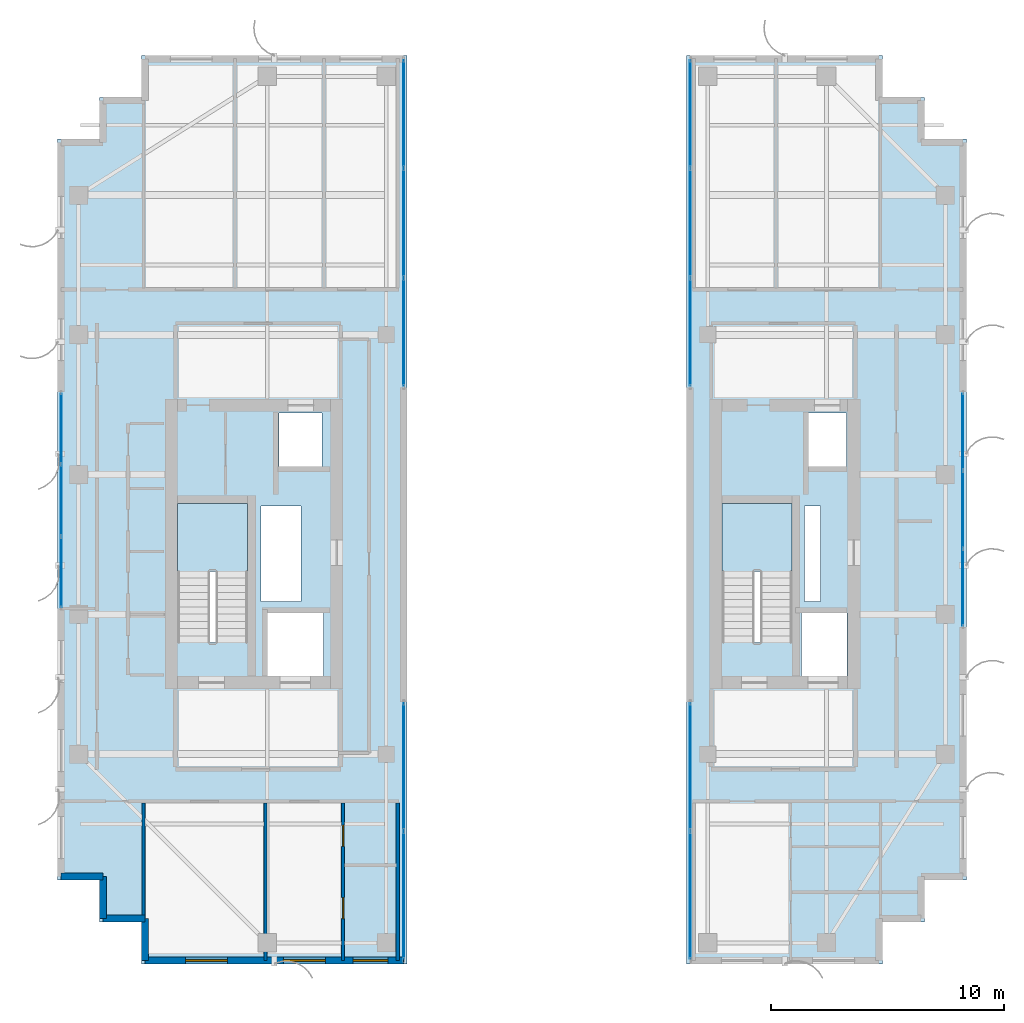
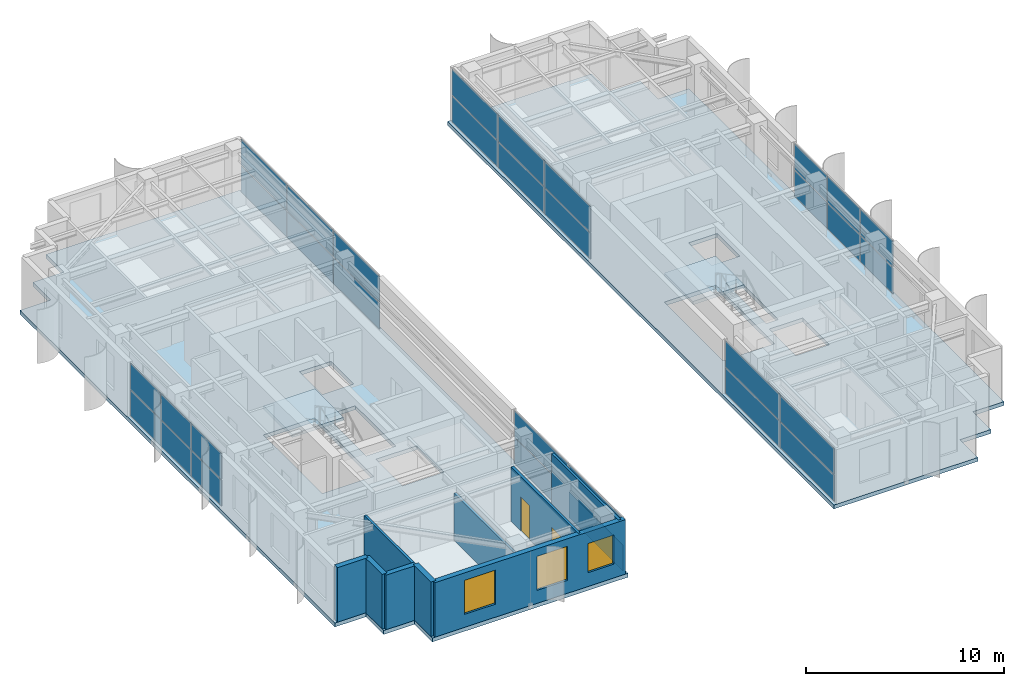
# One storey, part 17 of 24: 32 plates, 9 walls, 4 slabs, 3 windows, 2 doors, 5 openings, 8 elements without a shape of their own.
"""IFC4 building model written with IfcOpenShell, lengths in metres."""

from ifc_helpers import new_model, si_unit, direction, frame, frame_2d, origin, origin_2d, place, context, subcontext, project, spatial, polyline, rectangle, outline, extrude, source, transform, mapped, material, layer, layer_set, type_object, element, fill, aggregate, save


model = new_model("IFC4")

# Units and contexts
model_context = context("Model", 3, precision=1e-05, world=origin(), true_north=direction((0.0, 1.0)))
body_context = subcontext(model_context, "Body", "Model", "MODEL_VIEW")
ifc_project = project(units=[si_unit("LENGTHUNIT", "METRE"), si_unit("AREAUNIT", "SQUARE_METRE"), si_unit("VOLUMEUNIT", "CUBIC_METRE"), si_unit("PLANEANGLEUNIT", "RADIAN"), si_unit("MASSUNIT", "GRAM", prefix="KILO")], contexts=[model_context])

# Site, building, storey
site_placement = place(None, origin())
site = spatial("IfcSite", under=ifc_project, at=site_placement, CompositionType="ELEMENT")
building_placement = place(site_placement, origin())
building = spatial("IfcBuilding", under=site, at=building_placement, Name="Khoralis Quay Care Tower", CompositionType="ELEMENT")
storey_placement = place(building_placement, frame((0.0, 0.0, 234.89990234375)))
storey = spatial("IfcBuildingStorey", under=building, at=storey_placement, Name="L61", CompositionType="ELEMENT", Elevation=234.89990234375)

# Stair, slab
ifc_material_1 = material(Name="Precast concrete C45/55", Category="concrete")
stair_type = type_object("IfcStairType", Name="ST-TWR-DOGLEG-1400", PredefinedType="HALF_TURN_STAIR", material=ifc_material_1)
stair_1_placement = place(storey_placement, origin())
stair_1 = element("IfcStair", 1, at=stair_1_placement, inside=storey, type_object=stair_type, Name="L61 West Core Exit Stair ST-T1", PredefinedType="HALF_TURN_STAIR")
ifc_layer_1 = layer(ifc_material_1, 0.199951171875)
ifc_layer_set_1 = layer_set([ifc_layer_1], Name="Precast concrete C45/55")
slab_type_1 = type_object("IfcSlabType", Name="SLB-LANDING-200", PredefinedType="LANDING", material=ifc_layer_set_1)
slab_1_placement = place(storey_placement, frame((0.0, 0.0, 1.60009765625)))
slab_1 = element("IfcSlab", 2, at=slab_1_placement, type_object=slab_type_1, Name="ST-T1 landing 1", PredefinedType="LANDING", context=body_context, shape_type="SweptSolid", body=[
    extrude(outline(polyline([(11.14990234375, 19.840087890625), (11.14990234375, 22.75), (8.14990234375, 22.75), (8.14990234375, 19.840087890625), (11.14990234375, 19.840087890625)])), origin(), (0.0, 0.0, 1.0), 0.199951171875),
])
aggregate(stair_1, [slab_1])

stair_2_placement = place(storey_placement, origin())
stair_2 = element("IfcStair", 3, at=stair_2_placement, inside=storey, type_object=stair_type, Name="L61 East Core Exit Stair ST-T2", PredefinedType="HALF_TURN_STAIR")
slab_2_placement = place(storey_placement, frame((0.0, 0.0, 1.60009765625)))
slab_2 = element("IfcSlab", 4, at=slab_2_placement, type_object=slab_type_1, Name="ST-T2 landing 1", PredefinedType="LANDING", context=body_context, shape_type="SweptSolid", body=[
    extrude(outline(polyline([(34.52001953125, 19.840087890625), (34.52001953125, 22.75), (31.52001953125, 22.75), (31.52001953125, 19.840087890625), (34.52001953125, 19.840087890625)])), origin(), (0.0, 0.0, 1.0), 0.199951171875),
])
aggregate(stair_2, [slab_2])

# Slabs
ifc_material_2 = material(Name="Concrete C40/50", Category="concrete")
ifc_layer_2 = layer(ifc_material_2, 0.239990234375)
ifc_layer_set_2 = layer_set([ifc_layer_2], Name="Concrete C40/50")
slab_type_2 = type_object("IfcSlabType", Name="SLB-TWR-240", PredefinedType="FLOOR", material=ifc_layer_set_2)
slab_3_placement = place(storey_placement, frame((0.0, 0.0, -0.239990234375)))
element("IfcSlab", 5, at=slab_3_placement, inside=storey, type_object=slab_type_2, Name="Tower Wing 1 Slab L61", PredefinedType="FLOOR", context=body_context, shape_type="SweptSolid", body=[
    extrude(outline(polyline([(6.60009765625, 3.0), (18.0, 3.0), (18.0, 42.0), (6.60009765625, 42.0), (6.60009765625, 40.199951171875), (4.800048828125, 40.199951171875), (4.800048828125, 38.39990234375), (3.0, 38.39990234375), (3.0, 6.60009765625), (4.800048828125, 6.60009765625), (4.800048828125, 4.800048828125), (6.60009765625, 4.800048828125), (6.60009765625, 3.0)]), holes=[polyline([(11.14990234375, 16.800048828125), (11.14990234375, 22.75), (8.14990234375, 22.75), (8.14990234375, 16.800048828125), (11.14990234375, 16.800048828125)]), polyline([(12.0, 15.35009765625), (14.39990234375, 15.35009765625), (14.39990234375, 18.050048828125), (12.0, 18.050048828125), (12.0, 15.35009765625)]), polyline([(12.5, 24.35009765625), (14.35009765625, 24.35009765625), (14.35009765625, 26.64990234375), (12.5, 26.64990234375), (12.5, 24.35009765625)]), polyline([(11.719970703125, 18.550048828125), (13.449951171875, 18.550048828125), (13.449951171875, 22.64990234375), (11.719970703125, 22.64990234375), (11.719970703125, 18.550048828125)])]), origin(), (0.0, 0.0, 1.0), 0.239990234375),
])
slab_4_placement = place(storey_placement, frame((0.0, 0.0, -0.239990234375)))
element("IfcSlab", 6, at=slab_4_placement, inside=storey, type_object=slab_type_2, Name="Tower Wing 2 Slab L61", PredefinedType="FLOOR", context=body_context, shape_type="SweptSolid", body=[
    extrude(outline(polyline([(30.0, 3.0), (38.39990234375, 3.0), (38.39990234375, 4.800048828125), (40.199951171875, 4.800048828125), (40.199951171875, 6.60009765625), (42.0, 6.60009765625), (42.0, 38.39990234375), (40.199951171875, 38.39990234375), (40.199951171875, 40.199951171875), (38.39990234375, 40.199951171875), (38.39990234375, 42.0), (30.0, 42.0), (30.0, 3.0)]), holes=[polyline([(34.52001953125, 16.800048828125), (34.52001953125, 22.75), (31.52001953125, 22.75), (31.52001953125, 16.800048828125), (34.52001953125, 16.800048828125)]), polyline([(34.919921875, 15.35009765625), (36.8798828125, 15.35009765625), (36.8798828125, 18.050048828125), (34.919921875, 18.050048828125), (34.919921875, 15.35009765625)]), polyline([(35.199951171875, 24.35009765625), (36.85009765625, 24.35009765625), (36.85009765625, 26.64990234375), (35.199951171875, 26.64990234375), (35.199951171875, 24.35009765625)]), polyline([(35.050048828125, 18.550048828125), (35.75, 18.550048828125), (35.75, 22.64990234375), (35.050048828125, 22.64990234375), (35.050048828125, 18.550048828125)])]), origin(), (0.0, 0.0, 1.0), 0.239990234375),
])

# Curtain wall, plates
ifc_material_3 = material(Name="Pale anodised aluminium", Category="aluminium")
ifc_layer_3 = layer(ifc_material_3, 0.18994140625)
ifc_layer_set_3 = layer_set([ifc_layer_3], Name="Pale anodised aluminium")
curtain_wall_type_1 = type_object("IfcCurtainWallType", Name="CW-SYS-PORTAL", PredefinedType="NOTDEFINED", material=ifc_layer_set_3)
curtain_wall_1_placement = place(storey_placement, origin())
curtain_wall_1 = element("IfcCurtainWall", 7, at=curtain_wall_1_placement, inside=storey, type_object=curtain_wall_type_1, Name="L61 Unitised Curtain Wall CW-VP-L61-P1-S", PredefinedType="NOTDEFINED")
ifc_material_4 = material(Name="Low-E solar-control double glazing", Category="glass")
ifc_layer_4 = layer(ifc_material_4, 0.031982421875)
ifc_layer_set_4 = layer_set([ifc_layer_4], Name="Low-E solar-control double glazing")
plate_type = type_object("IfcPlateType", Name="PNL-VIS-32", PredefinedType="CURTAIN_PANEL", material=ifc_layer_set_4)
shared_shape_1 = source(origin(), body_context, "Body", "SweptSolid", [
    extrude(rectangle(XDim=5.4599609375, YDim=0.028076171875, at=origin_2d()), origin(), (0.0, 0.0, 1.0), 1.590087890625),
])
plate_1_placement = place(storey_placement, frame((17.85009765625, 5.93994140625, 0.06005859375), z_axis=(0.0, 0.0, 1.0), x_axis=(0.0, 1.0, 0.0)))
plate_1 = element("IfcPlate", 8, at=plate_1_placement, type_object=plate_type, Name="CW4 panel 1.1", PredefinedType="CURTAIN_PANEL", context=body_context, shape_type="MappedRepresentation", body=[
    mapped(shared_shape_1, transform((0.0, 0.0, 0.0), scale=1.0)),
])
plate_2_placement = place(storey_placement, frame((17.85009765625, 5.93994140625, 1.7099609375), z_axis=(0.0, 0.0, 1.0), x_axis=(0.0, 1.0, 0.0)))
plate_2 = element("IfcPlate", 9, at=plate_2_placement, type_object=plate_type, Name="CW4 panel 1.2", PredefinedType="CURTAIN_PANEL", context=body_context, shape_type="MappedRepresentation", body=[
    mapped(shared_shape_1, transform((0.0, 0.0, 0.0), scale=1.0)),
])
plate_3_placement = place(storey_placement, frame((17.85009765625, 11.4599609375, 0.06005859375), z_axis=(0.0, 0.0, 1.0), x_axis=(0.0, 1.0, 0.0)))
plate_3 = element("IfcPlate", 10, at=plate_3_placement, type_object=plate_type, Name="CW4 panel 2.1", PredefinedType="CURTAIN_PANEL", context=body_context, shape_type="MappedRepresentation", body=[
    mapped(shared_shape_1, transform((0.0, 0.0, 0.0), scale=1.0)),
])
plate_4_placement = place(storey_placement, frame((17.85009765625, 11.4599609375, 1.7099609375), z_axis=(0.0, 0.0, 1.0), x_axis=(0.0, 1.0, 0.0)))
plate_4 = element("IfcPlate", 11, at=plate_4_placement, type_object=plate_type, Name="CW4 panel 2.2", PredefinedType="CURTAIN_PANEL", context=body_context, shape_type="MappedRepresentation", body=[
    mapped(shared_shape_1, transform((0.0, 0.0, 0.0), scale=1.0)),
])
aggregate(curtain_wall_1, [plate_1, plate_2, plate_3, plate_4])

curtain_wall_2_placement = place(storey_placement, origin())
curtain_wall_2 = element("IfcCurtainWall", 12, at=curtain_wall_2_placement, inside=storey, type_object=curtain_wall_type_1, Name="L61 Unitised Curtain Wall CW-VP-L61-P2-S", PredefinedType="NOTDEFINED")
plate_5_placement = place(storey_placement, frame((30.14990234375, 5.93994140625, 0.06005859375), z_axis=(0.0, 0.0, 1.0), x_axis=(0.0, 1.0, 0.0)))
plate_5 = element("IfcPlate", 13, at=plate_5_placement, type_object=plate_type, Name="CW4 panel 1.1", PredefinedType="CURTAIN_PANEL", context=body_context, shape_type="MappedRepresentation", body=[
    mapped(shared_shape_1, transform((0.0, 0.0, 0.0), scale=1.0)),
])
plate_6_placement = place(storey_placement, frame((30.14990234375, 5.93994140625, 1.7099609375), z_axis=(0.0, 0.0, 1.0), x_axis=(0.0, 1.0, 0.0)))
plate_6 = element("IfcPlate", 14, at=plate_6_placement, type_object=plate_type, Name="CW4 panel 1.2", PredefinedType="CURTAIN_PANEL", context=body_context, shape_type="MappedRepresentation", body=[
    mapped(shared_shape_1, transform((0.0, 0.0, 0.0), scale=1.0)),
])
plate_7_placement = place(storey_placement, frame((30.14990234375, 11.4599609375, 0.06005859375), z_axis=(0.0, 0.0, 1.0), x_axis=(0.0, 1.0, 0.0)))
plate_7 = element("IfcPlate", 15, at=plate_7_placement, type_object=plate_type, Name="CW4 panel 2.1", PredefinedType="CURTAIN_PANEL", context=body_context, shape_type="MappedRepresentation", body=[
    mapped(shared_shape_1, transform((0.0, 0.0, 0.0), scale=1.0)),
])
plate_8_placement = place(storey_placement, frame((30.14990234375, 11.4599609375, 1.7099609375), z_axis=(0.0, 0.0, 1.0), x_axis=(0.0, 1.0, 0.0)))
plate_8 = element("IfcPlate", 16, at=plate_8_placement, type_object=plate_type, Name="CW4 panel 2.2", PredefinedType="CURTAIN_PANEL", context=body_context, shape_type="MappedRepresentation", body=[
    mapped(shared_shape_1, transform((0.0, 0.0, 0.0), scale=1.0)),
])
aggregate(curtain_wall_2, [plate_5, plate_6, plate_7, plate_8])

curtain_wall_3_placement = place(storey_placement, origin())
curtain_wall_3 = element("IfcCurtainWall", 17, at=curtain_wall_3_placement, inside=storey, type_object=curtain_wall_type_1, Name="L61 Unitised Curtain Wall CW-VP-L61-P1-N", PredefinedType="NOTDEFINED")
shared_shape_2 = source(origin(), body_context, "Body", "SweptSolid", [
    extrude(rectangle(XDim=4.610107421875, YDim=0.028076171875, at=origin_2d()), origin(), (0.0, 0.0, 1.0), 1.590087890625),
])
plate_9_placement = place(storey_placement, frame((17.85009765625, 30.114990234375, 0.06005859375), z_axis=(0.0, 0.0, 1.0), x_axis=(0.0, 1.0, 0.0)))
plate_9 = element("IfcPlate", 18, at=plate_9_placement, type_object=plate_type, Name="CW4 panel 1.1", PredefinedType="CURTAIN_PANEL", context=body_context, shape_type="MappedRepresentation", body=[
    mapped(shared_shape_2, transform((0.0, 0.0, 0.0), scale=1.0)),
])
plate_10_placement = place(storey_placement, frame((17.85009765625, 30.114990234375, 1.7099609375), z_axis=(0.0, 0.0, 1.0), x_axis=(0.0, 1.0, 0.0)))
plate_10 = element("IfcPlate", 19, at=plate_10_placement, type_object=plate_type, Name="CW4 panel 1.2", PredefinedType="CURTAIN_PANEL", context=body_context, shape_type="MappedRepresentation", body=[
    mapped(shared_shape_2, transform((0.0, 0.0, 0.0), scale=1.0)),
])
plate_11_placement = place(storey_placement, frame((17.85009765625, 39.485107421875, 0.06005859375), z_axis=(0.0, 0.0, 1.0), x_axis=(0.0, 1.0, 0.0)))
plate_11 = element("IfcPlate", 20, at=plate_11_placement, type_object=plate_type, Name="CW4 panel 3.1", PredefinedType="CURTAIN_PANEL", context=body_context, shape_type="MappedRepresentation", body=[
    mapped(shared_shape_2, transform((0.0, 0.0, 0.0), scale=1.0)),
])
plate_12_placement = place(storey_placement, frame((17.85009765625, 39.485107421875, 1.7099609375), z_axis=(0.0, 0.0, 1.0), x_axis=(0.0, 1.0, 0.0)))
plate_12 = element("IfcPlate", 21, at=plate_12_placement, type_object=plate_type, Name="CW4 panel 3.2", PredefinedType="CURTAIN_PANEL", context=body_context, shape_type="MappedRepresentation", body=[
    mapped(shared_shape_2, transform((0.0, 0.0, 0.0), scale=1.0)),
])

curtain_wall_4_placement = place(storey_placement, origin())
curtain_wall_4 = element("IfcCurtainWall", 22, at=curtain_wall_4_placement, inside=storey, type_object=curtain_wall_type_1, Name="L61 Unitised Curtain Wall CW-VP-L61-P2-N", PredefinedType="NOTDEFINED")
plate_13_placement = place(storey_placement, frame((30.14990234375, 30.114990234375, 0.06005859375), z_axis=(0.0, 0.0, 1.0), x_axis=(0.0, 1.0, 0.0)))
plate_13 = element("IfcPlate", 23, at=plate_13_placement, type_object=plate_type, Name="CW4 panel 1.1", PredefinedType="CURTAIN_PANEL", context=body_context, shape_type="MappedRepresentation", body=[
    mapped(shared_shape_2, transform((0.0, 0.0, 0.0), scale=1.0)),
])
plate_14_placement = place(storey_placement, frame((30.14990234375, 30.114990234375, 1.7099609375), z_axis=(0.0, 0.0, 1.0), x_axis=(0.0, 1.0, 0.0)))
plate_14 = element("IfcPlate", 24, at=plate_14_placement, type_object=plate_type, Name="CW4 panel 1.2", PredefinedType="CURTAIN_PANEL", context=body_context, shape_type="MappedRepresentation", body=[
    mapped(shared_shape_2, transform((0.0, 0.0, 0.0), scale=1.0)),
])
plate_15_placement = place(storey_placement, frame((30.14990234375, 39.485107421875, 0.06005859375), z_axis=(0.0, 0.0, 1.0), x_axis=(0.0, 1.0, 0.0)))
plate_15 = element("IfcPlate", 25, at=plate_15_placement, type_object=plate_type, Name="CW4 panel 3.1", PredefinedType="CURTAIN_PANEL", context=body_context, shape_type="MappedRepresentation", body=[
    mapped(shared_shape_2, transform((0.0, 0.0, 0.0), scale=1.0)),
])
plate_16_placement = place(storey_placement, frame((30.14990234375, 39.485107421875, 1.7099609375), z_axis=(0.0, 0.0, 1.0), x_axis=(0.0, 1.0, 0.0)))
plate_16 = element("IfcPlate", 26, at=plate_16_placement, type_object=plate_type, Name="CW4 panel 3.2", PredefinedType="CURTAIN_PANEL", context=body_context, shape_type="MappedRepresentation", body=[
    mapped(shared_shape_2, transform((0.0, 0.0, 0.0), scale=1.0)),
])

# Plate
shared_shape_3 = source(origin(), body_context, "Body", "SweptSolid", [
    extrude(rectangle(XDim=4.639892578125, YDim=0.028076171875, at=origin_2d()), origin(), (0.0, 0.0, 1.0), 1.590087890625),
])
plate_17_placement = place(storey_placement, frame((17.85009765625, 34.800048828125, 0.06005859375), z_axis=(0.0, 0.0, 1.0), x_axis=(0.0, 1.0, 0.0)))
plate_17 = element("IfcPlate", 27, at=plate_17_placement, type_object=plate_type, Name="CW4 panel 2.1", PredefinedType="CURTAIN_PANEL", context=body_context, shape_type="MappedRepresentation", body=[
    mapped(shared_shape_3, transform((0.0, 0.0, 0.0), scale=1.0)),
])

plate_18_placement = place(storey_placement, frame((17.85009765625, 34.800048828125, 1.7099609375), z_axis=(0.0, 0.0, 1.0), x_axis=(0.0, 1.0, 0.0)))
plate_18 = element("IfcPlate", 28, at=plate_18_placement, type_object=plate_type, Name="CW4 panel 2.2", PredefinedType="CURTAIN_PANEL", context=body_context, shape_type="MappedRepresentation", body=[
    mapped(shared_shape_3, transform((0.0, 0.0, 0.0), scale=1.0)),
])

aggregate(curtain_wall_3, [plate_9, plate_10, plate_17, plate_18, plate_11, plate_12])

plate_19_placement = place(storey_placement, frame((30.14990234375, 34.800048828125, 0.06005859375), z_axis=(0.0, 0.0, 1.0), x_axis=(0.0, 1.0, 0.0)))
plate_19 = element("IfcPlate", 29, at=plate_19_placement, type_object=plate_type, Name="CW4 panel 2.1", PredefinedType="CURTAIN_PANEL", context=body_context, shape_type="MappedRepresentation", body=[
    mapped(shared_shape_3, transform((0.0, 0.0, 0.0), scale=1.0)),
])

plate_20_placement = place(storey_placement, frame((30.14990234375, 34.800048828125, 1.7099609375), z_axis=(0.0, 0.0, 1.0), x_axis=(0.0, 1.0, 0.0)))
plate_20 = element("IfcPlate", 30, at=plate_20_placement, type_object=plate_type, Name="CW4 panel 2.2", PredefinedType="CURTAIN_PANEL", context=body_context, shape_type="MappedRepresentation", body=[
    mapped(shared_shape_3, transform((0.0, 0.0, 0.0), scale=1.0)),
])

aggregate(curtain_wall_4, [plate_13, plate_14, plate_19, plate_20, plate_15, plate_16])

# Curtain wall, plates
ifc_layer_5 = layer(ifc_material_3, 0.159912109375)
ifc_layer_set_5 = layer_set([ifc_layer_5], Name="Pale anodised aluminium")
curtain_wall_type_2 = type_object("IfcCurtainWallType", Name="CW-SYS-Z3", PredefinedType="NOTDEFINED", material=ifc_layer_set_5)
curtain_wall_5_placement = place(storey_placement, origin())
curtain_wall_5 = element("IfcCurtainWall", 31, at=curtain_wall_5_placement, inside=storey, type_object=curtain_wall_type_2, Name="L61 Unitised Curtain Wall CW-L61-P2-E5", PredefinedType="NOTDEFINED")
shared_shape_4 = source(origin(), body_context, "Body", "SweptSolid", [
    extrude(rectangle(XDim=3.27001953125, YDim=0.028076171875, at=origin_2d()), origin(), (0.0, 0.0, 1.0), 1.590087890625),
])
plate_21_placement = place(storey_placement, frame((41.85009765625, 19.155029296875, 0.06005859375), z_axis=(0.0, 0.0, 1.0), x_axis=(0.0, 1.0, 0.0)))
plate_21 = element("IfcPlate", 32, at=plate_21_placement, type_object=plate_type, Name="CW3 panel 1.1", PredefinedType="CURTAIN_PANEL", context=body_context, shape_type="MappedRepresentation", body=[
    mapped(shared_shape_4, transform((0.0, 0.0, 0.0), scale=1.0)),
])
plate_22_placement = place(storey_placement, frame((41.85009765625, 19.155029296875, 1.7099609375), z_axis=(0.0, 0.0, 1.0), x_axis=(0.0, 1.0, 0.0)))
plate_22 = element("IfcPlate", 33, at=plate_22_placement, type_object=plate_type, Name="CW3 panel 1.2", PredefinedType="CURTAIN_PANEL", context=body_context, shape_type="MappedRepresentation", body=[
    mapped(shared_shape_4, transform((0.0, 0.0, 0.0), scale=1.0)),
])
plate_23_placement = place(storey_placement, frame((41.85009765625, 25.844970703125, 0.06005859375), z_axis=(0.0, 0.0, 1.0), x_axis=(0.0, 1.0, 0.0)))
plate_23 = element("IfcPlate", 34, at=plate_23_placement, type_object=plate_type, Name="CW3 panel 3.1", PredefinedType="CURTAIN_PANEL", context=body_context, shape_type="MappedRepresentation", body=[
    mapped(shared_shape_4, transform((0.0, 0.0, 0.0), scale=1.0)),
])
plate_24_placement = place(storey_placement, frame((41.85009765625, 25.844970703125, 1.7099609375), z_axis=(0.0, 0.0, 1.0), x_axis=(0.0, 1.0, 0.0)))
plate_24 = element("IfcPlate", 35, at=plate_24_placement, type_object=plate_type, Name="CW3 panel 3.2", PredefinedType="CURTAIN_PANEL", context=body_context, shape_type="MappedRepresentation", body=[
    mapped(shared_shape_4, transform((0.0, 0.0, 0.0), scale=1.0)),
])
shared_shape_5 = source(origin(), body_context, "Body", "SweptSolid", [
    extrude(rectangle(XDim=3.300048828125, YDim=0.028076171875, at=origin_2d()), origin(), (0.0, 0.0, 1.0), 1.590087890625),
])
plate_25_placement = place(storey_placement, frame((41.85009765625, 22.5, 0.06005859375), z_axis=(0.0, 0.0, 1.0), x_axis=(0.0, 1.0, 0.0)))
plate_25 = element("IfcPlate", 36, at=plate_25_placement, type_object=plate_type, Name="CW3 panel 2.1", PredefinedType="CURTAIN_PANEL", context=body_context, shape_type="MappedRepresentation", body=[
    mapped(shared_shape_5, transform((0.0, 0.0, 0.0), scale=1.0)),
])
plate_26_placement = place(storey_placement, frame((41.85009765625, 22.5, 1.7099609375), z_axis=(0.0, 0.0, 1.0), x_axis=(0.0, 1.0, 0.0)))
plate_26 = element("IfcPlate", 37, at=plate_26_placement, type_object=plate_type, Name="CW3 panel 2.2", PredefinedType="CURTAIN_PANEL", context=body_context, shape_type="MappedRepresentation", body=[
    mapped(shared_shape_5, transform((0.0, 0.0, 0.0), scale=1.0)),
])
aggregate(curtain_wall_5, [plate_21, plate_22, plate_25, plate_26, plate_23, plate_24])

curtain_wall_6_placement = place(storey_placement, origin())
curtain_wall_6 = element("IfcCurtainWall", 38, at=curtain_wall_6_placement, inside=storey, type_object=curtain_wall_type_2, Name="L61 Unitised Curtain Wall CW-L61-P1-E7", PredefinedType="NOTDEFINED")
shared_shape_6 = source(origin(), body_context, "Body", "SweptSolid", [
    extrude(rectangle(XDim=3.006591796875, YDim=0.028076171875, at=origin_2d()), origin(), (0.0, 0.0, 1.0), 1.590087890625),
])
plate_27_placement = place(storey_placement, frame((3.14990234375, 25.9765625, 0.06005859375), z_axis=(0.0, 0.0, 1.0), x_axis=(0.0, -1.0, 0.0)))
plate_27 = element("IfcPlate", 39, at=plate_27_placement, type_object=plate_type, Name="CW3 panel 1.1", PredefinedType="CURTAIN_PANEL", context=body_context, shape_type="MappedRepresentation", body=[
    mapped(shared_shape_6, transform((0.0, 0.0, 0.0), scale=1.0)),
])
plate_28_placement = place(storey_placement, frame((3.14990234375, 25.9765625, 1.7099609375), z_axis=(0.0, 0.0, 1.0), x_axis=(0.0, -1.0, 0.0)))
plate_28 = element("IfcPlate", 40, at=plate_28_placement, type_object=plate_type, Name="CW3 panel 1.2", PredefinedType="CURTAIN_PANEL", context=body_context, shape_type="MappedRepresentation", body=[
    mapped(shared_shape_6, transform((0.0, 0.0, 0.0), scale=1.0)),
])
plate_29_placement = place(storey_placement, frame((3.14990234375, 19.813232421875, 0.06005859375), z_axis=(0.0, 0.0, 1.0), x_axis=(0.0, -1.0, 0.0)))
plate_29 = element("IfcPlate", 41, at=plate_29_placement, type_object=plate_type, Name="CW3 panel 3.1", PredefinedType="CURTAIN_PANEL", context=body_context, shape_type="MappedRepresentation", body=[
    mapped(shared_shape_6, transform((0.0, 0.0, 0.0), scale=1.0)),
])
plate_30_placement = place(storey_placement, frame((3.14990234375, 19.813232421875, 1.7099609375), z_axis=(0.0, 0.0, 1.0), x_axis=(0.0, -1.0, 0.0)))
plate_30 = element("IfcPlate", 42, at=plate_30_placement, type_object=plate_type, Name="CW3 panel 3.2", PredefinedType="CURTAIN_PANEL", context=body_context, shape_type="MappedRepresentation", body=[
    mapped(shared_shape_6, transform((0.0, 0.0, 0.0), scale=1.0)),
])
shared_shape_7 = source(origin(), body_context, "Body", "SweptSolid", [
    extrude(rectangle(XDim=3.03662109375, YDim=0.028076171875, at=origin_2d()), origin(), (0.0, 0.0, 1.0), 1.590087890625),
])
plate_31_placement = place(storey_placement, frame((3.14990234375, 22.89501953125, 0.06005859375), z_axis=(0.0, 0.0, 1.0), x_axis=(0.0, -1.0, 0.0)))
plate_31 = element("IfcPlate", 43, at=plate_31_placement, type_object=plate_type, Name="CW3 panel 2.1", PredefinedType="CURTAIN_PANEL", context=body_context, shape_type="MappedRepresentation", body=[
    mapped(shared_shape_7, transform((0.0, 0.0, 0.0), scale=1.0)),
])
plate_32_placement = place(storey_placement, frame((3.14990234375, 22.89501953125, 1.7099609375), z_axis=(0.0, 0.0, 1.0), x_axis=(0.0, -1.0, 0.0)))
plate_32 = element("IfcPlate", 44, at=plate_32_placement, type_object=plate_type, Name="CW3 panel 2.2", PredefinedType="CURTAIN_PANEL", context=body_context, shape_type="MappedRepresentation", body=[
    mapped(shared_shape_7, transform((0.0, 0.0, 0.0), scale=1.0)),
])
aggregate(curtain_wall_6, [plate_27, plate_28, plate_31, plate_32, plate_29, plate_30])

# Wall, openings, windows
ifc_layer_6 = layer(ifc_material_1, 0.300048828125)
ifc_layer_set_6 = layer_set([ifc_layer_6], Name="Precast concrete C45/55")
wall_type_1 = type_object("IfcWallType", Name="WL-EXT-REF-300", PredefinedType="SOLIDWALL", material=ifc_layer_set_6)
wall_1_placement = place(storey_placement, frame((6.75, 3.14990234375, 0.0), z_axis=(0.0, 0.0, 1.0), x_axis=(1.0, 0.0, 0.0)))
wall_1 = element("IfcWall", 45, at=wall_1_placement, inside=storey, type_object=wall_type_1, Name="L61 External Facade Wall WL-EXT-L61-P1-E0", PredefinedType="SOLIDWALL", context=body_context, shape_type="SweptSolid", body=[
    extrude(rectangle(XDim=11.10009765625, YDim=0.300048828125, at=frame_2d((5.550048828125, 0.0))), origin(), (0.0, 0.0, 1.0), 3.360107421875),
])
opening_1_placement = place(wall_1_placement, frame((1.735107421875, 0.0, 0.800048828125)))
opening_1 = element("IfcOpeningElement", 46, at=opening_1_placement, cuts=wall_1, Name="Opening W2", PredefinedType="OPENING", context=body_context, shape_type="SweptSolid", body=[
    extrude(rectangle(XDim=1.800048828125, YDim=2.10009765625, at=frame_2d((0.89990234375, 1.050048828125))), frame((0.0, 0.16015625, 0.0), z_axis=(0.0, -1.0, 0.0), x_axis=(1.0, 0.0, 0.0)), (0.0, 0.0, 1.0), 0.320068359375),
])
opening_2_placement = place(wall_1_placement, frame((5.93505859375, 0.0, 0.800048828125)))
opening_2 = element("IfcOpeningElement", 47, at=opening_2_placement, cuts=wall_1, Name="Opening W2", PredefinedType="OPENING", context=body_context, shape_type="SweptSolid", body=[
    extrude(rectangle(XDim=1.800048828125, YDim=2.10009765625, at=frame_2d((0.89990234375, 1.050048828125))), frame((0.0, 0.16015625, 0.0), z_axis=(0.0, -1.0, 0.0), x_axis=(1.0, 0.0, 0.0)), (0.0, 0.0, 1.0), 0.320068359375),
])
opening_3_placement = place(wall_1_placement, frame((8.925048828125, 0.0, 0.85009765625)))
opening_3 = element("IfcOpeningElement", 48, at=opening_3_placement, cuts=wall_1, Name="Opening W3", PredefinedType="OPENING", context=body_context, shape_type="SweptSolid", body=[
    extrude(rectangle(XDim=1.5, YDim=1.800048828125, at=frame_2d((0.75, 0.89990234375))), frame((0.0, 0.16015625, 0.0), z_axis=(0.0, -1.0, 0.0), x_axis=(1.0, 0.0, 0.0)), (0.0, 0.0, 1.0), 0.320068359375),
])
window_type_1 = type_object("IfcWindowType", Name="WN-CLIN-1500X1800", PartitioningType="SINGLE_PANEL", PredefinedType="WINDOW", material=ifc_material_4)
shared_shape_8 = source(origin(), body_context, "Body", "SweptSolid", [
    extrude(rectangle(XDim=1.5, YDim=1.800048828125, at=frame_2d((0.75, 0.89990234375))), frame((0.0, 0.030029296875, 0.0), z_axis=(0.0, -1.0, 0.0), x_axis=(1.0, 0.0, 0.0)), (0.0, 0.0, 1.0), 0.06005859375),
])
window_1_placement = place(opening_3_placement, origin())
window_1 = element("IfcWindow", 49, at=window_1_placement, inside=storey, type_object=window_type_1, Name="WN-L61-P1-E0 Facade Window 03", OverallHeight=1.800048828125, OverallWidth=1.5, PartitioningType="SINGLE_PANEL", PredefinedType="WINDOW", context=body_context, shape_type="MappedRepresentation", body=[
    mapped(shared_shape_8, transform((0.0, 0.0, 0.0), scale=1.0)),
])
fill(opening_3, window_1)
window_type_2 = type_object("IfcWindowType", Name="WN-POD-1800X2100", PartitioningType="SINGLE_PANEL", PredefinedType="WINDOW", material=ifc_material_4)
shared_shape_9 = source(origin(), body_context, "Body", "SweptSolid", [
    extrude(rectangle(XDim=1.800048828125, YDim=2.10009765625, at=frame_2d((0.89990234375, 1.050048828125))), frame((0.0, 0.030029296875, 0.0), z_axis=(0.0, -1.0, 0.0), x_axis=(1.0, 0.0, 0.0)), (0.0, 0.0, 1.0), 0.06005859375),
])
window_2_placement = place(opening_1_placement, origin())
window_2 = element("IfcWindow", 50, at=window_2_placement, inside=storey, type_object=window_type_2, Name="WN-L61-P1-E0 Facade Window 01", OverallHeight=2.10009765625, OverallWidth=1.800048828125, PartitioningType="SINGLE_PANEL", PredefinedType="WINDOW", context=body_context, shape_type="MappedRepresentation", body=[
    mapped(shared_shape_9, transform((0.0, 0.0, 0.0), scale=1.0)),
])
fill(opening_1, window_2)
window_3_placement = place(opening_2_placement, origin())
window_3 = element("IfcWindow", 51, at=window_3_placement, inside=storey, type_object=window_type_2, Name="WN-L61-P1-E0 Facade Window 02", OverallHeight=2.10009765625, OverallWidth=1.800048828125, PartitioningType="SINGLE_PANEL", PredefinedType="WINDOW", context=body_context, shape_type="MappedRepresentation", body=[
    mapped(shared_shape_9, transform((0.0, 0.0, 0.0), scale=1.0)),
])
fill(opening_2, window_3)

# Walls
for number, where, z_axis, x_axis, name in (
    (52, (3.14990234375, 6.75, 0.0), (0.0, 0.0, 1.0), (1.0, 0.0, 0.0), "L61 External Facade Wall WL-EXT-L61-P1-C8"),
    (53, (4.949951171875, 6.75, 0.0), (0.0, 0.0, 1.0), (0.0, -1.0, 0.0), "L61 External Facade Wall WL-EXT-L61-P1-C9"),
    (54, (4.949951171875, 4.949951171875, 0.0), (0.0, 0.0, 1.0), (1.0, 0.0, 0.0), "L61 External Facade Wall WL-EXT-L61-P1-C10"),
    (55, (6.75, 4.949951171875, 0.0), (0.0, 0.0, 1.0), (0.0, -1.0, 0.0), "L61 External Facade Wall WL-EXT-L61-P1-C11"),
):
    element("IfcWall", number, at=place(storey_placement, frame(where, z_axis=z_axis, x_axis=x_axis)), inside=storey, type_object=wall_type_1, Name=name, PredefinedType="SOLIDWALL", context=body_context, shape_type="SweptSolid", body=[
        extrude(rectangle(XDim=1.800048828125, YDim=0.300048828125, at=frame_2d((0.89990234375, 0.0))), origin(), (0.0, 0.0, 1.0), 3.360107421875),
    ])

# Wall, openings, doors
ifc_material_5 = material(Name="Moisture-resistant gypsum and ceramic tile")
ifc_layer_7 = layer(ifc_material_5, 0.280029296875)
ifc_layer_set_7 = layer_set([ifc_layer_7], Name="Moisture-resistant gypsum and ceramic tile")
wall_type_2 = type_object("IfcWallType", Name="WL-PLUMB-280", PredefinedType="PLUMBINGWALL", material=ifc_layer_set_7)
wall_2_placement = place(storey_placement, frame((15.25, 3.14501953125, 0.0), z_axis=(0.0, 0.0, 1.0), x_axis=(0.0, 1.0, 0.0)))
wall_2 = element("IfcWall", 56, at=wall_2_placement, inside=storey, type_object=wall_type_2, Name="L61 Care Suite 1 En-Suite Wall V", PredefinedType="PLUMBINGWALL", context=body_context, shape_type="SweptSolid", body=[
    extrude(rectangle(XDim=6.757568359375, YDim=0.139892578125, at=frame_2d((3.37890625, 0.0))), origin(), (0.0, 0.0, 1.0), 3.360107421875),
])
opening_4_placement = place(wall_2_placement, frame((4.89501953125, 0.0, 0.0)))
opening_4 = element("IfcOpeningElement", 57, at=opening_4_placement, cuts=wall_2, Name="Opening WD1", PredefinedType="OPENING", context=body_context, shape_type="SweptSolid", body=[
    extrude(rectangle(XDim=0.89990234375, YDim=2.10009765625, at=frame_2d((0.449951171875, 1.050048828125))), frame((0.0, 0.080078125, 0.0), z_axis=(0.0, -1.0, 0.0), x_axis=(1.0, 0.0, 0.0)), (0.0, 0.0, 1.0), 0.159912109375),
])
opening_5_placement = place(wall_2_placement, frame((1.794921875, 0.0, 0.0)))
opening_5 = element("IfcOpeningElement", 58, at=opening_5_placement, cuts=wall_2, Name="Opening WD1", PredefinedType="OPENING", context=body_context, shape_type="SweptSolid", body=[
    extrude(rectangle(XDim=0.89990234375, YDim=2.10009765625, at=frame_2d((0.449951171875, 1.050048828125))), frame((0.0, 0.080078125, 0.0), z_axis=(0.0, -1.0, 0.0), x_axis=(1.0, 0.0, 0.0)), (0.0, 0.0, 1.0), 0.159912109375),
])
ifc_material_6 = material(Name="Acoustic hardwood timber", Category="wood")
door_type = type_object("IfcDoorType", Name="DR-BATH-900X2100", OperationType="NOTDEFINED", PredefinedType="DOOR", material=ifc_material_6)
shared_shape_10 = source(origin(), body_context, "Body", "SweptSolid", [
    extrude(rectangle(XDim=0.89990234375, YDim=2.10009765625, at=frame_2d((0.449951171875, 1.050048828125))), frame((0.0, 0.02490234375, 0.0), z_axis=(0.0, -1.0, 0.0), x_axis=(1.0, 0.0, 0.0)), (0.0, 0.0, 1.0), 0.050048828125),
])
door_1_placement = place(opening_4_placement, frame((0.89990234375, 0.0, 0.0), z_axis=(0.0, 0.0, 1.0), x_axis=(-1.0, 0.0, 0.0)))
door_1 = element("IfcDoor", 59, at=door_1_placement, inside=storey, type_object=door_type, Name="L61 Care CENS Door", OperationType="SINGLE_SWING_RIGHT", OverallHeight=2.10009765625, OverallWidth=0.89990234375, PredefinedType="DOOR", context=body_context, shape_type="MappedRepresentation", body=[
    mapped(shared_shape_10, transform((0.0, 0.0, 0.0), scale=1.0)),
])
fill(opening_4, door_1)
door_2_placement = place(opening_5_placement, frame((0.89990234375, 0.0, 0.0), z_axis=(0.0, 0.0, 1.0), x_axis=(-1.0, 0.0, 0.0)))
door_2 = element("IfcDoor", 60, at=door_2_placement, inside=storey, type_object=door_type, Name="L61 Care CSIT Door", OperationType="SINGLE_SWING_LEFT", OverallHeight=2.10009765625, OverallWidth=0.89990234375, PredefinedType="DOOR", context=body_context, shape_type="MappedRepresentation", body=[
    mapped(shared_shape_10, transform((0.0, 0.0, 0.0), scale=1.0)),
])
fill(opening_5, door_2)

# Walls
ifc_material_7 = material(Name="Gypsum plasterboard on acoustic metal stud")
ifc_layer_8 = layer(ifc_material_7, 0.139892578125)
ifc_layer_set_8 = layer_set([ifc_layer_8], Name="Gypsum plasterboard on acoustic metal stud")
wall_type_3 = type_object("IfcWallType", Name="WL-UNIT-140", PredefinedType="PARTITIONING", material=ifc_layer_set_8)
wall_3_placement = place(storey_placement, frame((6.679931640625, 4.945068359375, 0.0), z_axis=(0.0, 0.0, 1.0), x_axis=(0.0, 1.0, 0.0)))
element("IfcWall", 61, at=wall_3_placement, inside=storey, type_object=wall_type_3, Name="L61 WS Demising Wall 0", PredefinedType="PARTITIONING", context=body_context, shape_type="SweptSolid", body=[
    extrude(rectangle(XDim=4.95751953125, YDim=0.139892578125, at=frame_2d((2.478759765625, 0.0))), origin(), (0.0, 0.0, 1.0), 3.360107421875),
])
wall_4_placement = place(storey_placement, frame((11.919921875, 3.14501953125, 0.0), z_axis=(0.0, 0.0, 1.0), x_axis=(0.0, 1.0, 0.0)))
element("IfcWall", 62, at=wall_4_placement, inside=storey, type_object=wall_type_3, Name="L61 WS Demising Wall 1", PredefinedType="PARTITIONING", context=body_context, shape_type="SweptSolid", body=[
    extrude(rectangle(XDim=6.757568359375, YDim=0.139892578125, at=frame_2d((3.37890625, 0.0))), origin(), (0.0, 0.0, 1.0), 2.901123046875),
])
wall_5_placement = place(storey_placement, frame((17.60009765625, 3.14501953125, 0.0), z_axis=(0.0, 0.0, 1.0), x_axis=(0.0, 1.0, 0.0)))
element("IfcWall", 63, at=wall_5_placement, inside=storey, type_object=wall_type_3, Name="L61 WS Demising Wall 2", PredefinedType="PARTITIONING", context=body_context, shape_type="SweptSolid", body=[
    extrude(rectangle(XDim=6.757568359375, YDim=0.139892578125, at=frame_2d((3.37890625, 0.0))), origin(), (0.0, 0.0, 1.0), 3.360107421875),
])

save(model, "model.ifc")
